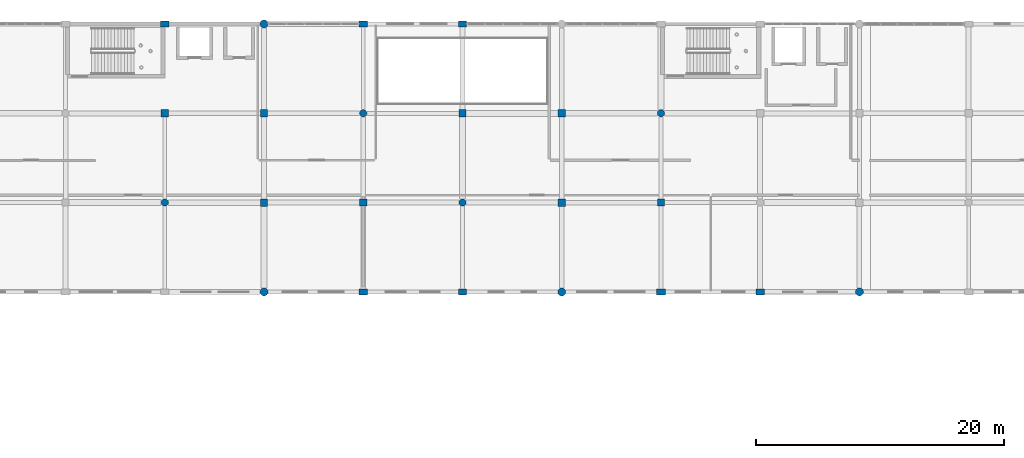
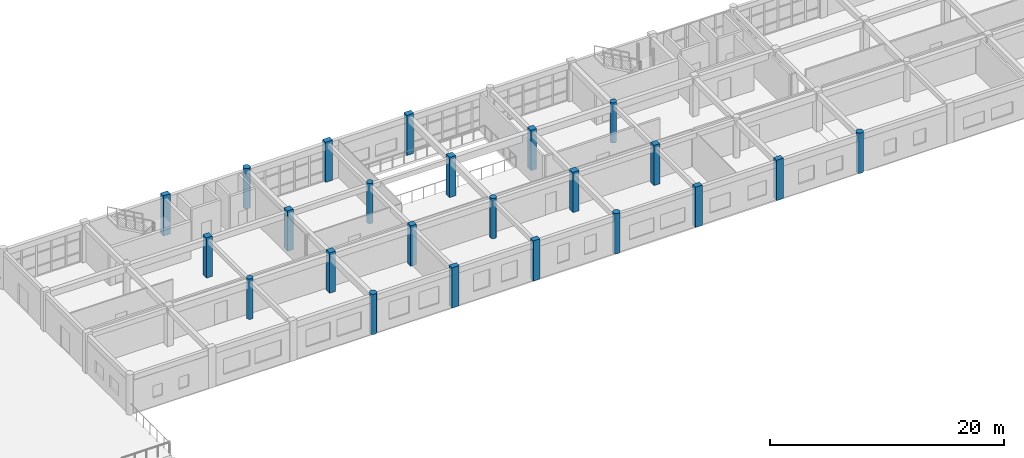
# One storey, part 2 of 53: 23 columns.
"""IFC4 building model written with IfcOpenShell, lengths in metres."""

from ifc_helpers import new_model, si_unit, direction, frame, origin, origin_2d, place, context, subcontext, project, spatial, rectangle, circle, extrude, material, material_profile, profile_set, type_object, element, save


model = new_model("IFC4")

# Units and contexts
model_context = context("Model", 3, precision=1e-05, world=origin(), true_north=direction((0.0, 1.0)))
body_context = subcontext(model_context, "Body", "Model", "MODEL_VIEW")
ifc_project = project(units=[si_unit("LENGTHUNIT", "METRE"), si_unit("AREAUNIT", "SQUARE_METRE"), si_unit("VOLUMEUNIT", "CUBIC_METRE"), si_unit("PLANEANGLEUNIT", "RADIAN"), si_unit("MASSUNIT", "GRAM", prefix="KILO")], contexts=[model_context])

# Site, building, storey
site_placement = place(None, origin())
site = spatial("IfcSite", under=ifc_project, at=site_placement, CompositionType="ELEMENT")
building_placement = place(site_placement, origin())
building = spatial("IfcBuilding", under=site, at=building_placement, Name="Kharva Crest Polytechnic", CompositionType="ELEMENT")
storey_placement = place(building_placement, frame((0.0, 0.0, 17.39990234375)))
storey = spatial("IfcBuildingStorey", under=building, at=storey_placement, Name="L04", CompositionType="ELEMENT", Elevation=17.39990234375)

# Columns
ifc_material = material(Name="Concrete C40/50", Category="concrete")
ifc_material_profile_1 = material_profile(ifc_material, rectangle(XDim=0.679931640625, YDim=0.5, at=origin_2d()), Name="RECT 680 X 500")
ifc_profile_set_1 = profile_set([ifc_material_profile_1], Name="Concrete C40/50")
column_type_1 = type_object("IfcColumnType", Name="COL-EXT-680X500", PredefinedType="COLUMN", material=ifc_profile_set_1)
for number, where, z_axis, x_axis, name in (
    (1, (88.0, 100.39990234375, 0.0), (0.0, 0.0, 1.0), (1.0, 0.0, 0.0), "L04 Column 12/P"),
    (2, (88.0, 122.0, 0.0), (0.0, 0.0, 1.0), (1.0, 0.0, 0.0), "L04 Column 12/S"),
    (3, (112.0, 100.39990234375, 0.0), (0.0, 0.0, 1.0), (1.0, 0.0, 0.0), "L04 Column 15/P"),
    (4, (64.0, 122.0, 0.0), (0.0, 0.0, 1.0), (1.0, 0.0, 0.0), "L04 Column 9/S"),
):
    element("IfcColumn", number, at=place(storey_placement, frame(where, z_axis=z_axis, x_axis=x_axis)), inside=storey, type_object=column_type_1, Name=name, PredefinedType="COLUMN", context=body_context, shape_type="SweptSolid", body=[
        extrude(rectangle(XDim=0.679931640625, YDim=0.5, at=origin_2d()), origin(), (0.0, 0.0, 1.0), 4.2001953125),
    ])
ifc_material_profile_2 = material_profile(ifc_material, rectangle(XDim=0.699951171875, YDim=0.5, at=origin_2d()), Name="RECT 700 X 500")
ifc_profile_set_2 = profile_set([ifc_material_profile_2], Name="Concrete C40/50")
column_type_2 = type_object("IfcColumnType", Name="COL-EXT-700X500", PredefinedType="COLUMN", material=ifc_profile_set_2)
for number, where, z_axis, x_axis, name in (
    (5, (80.0, 100.39990234375, 0.0), (0.0, 0.0, 1.0), (1.0, 0.0, 0.0), "L04 Column 11/P"),
    (6, (80.0, 122.0, 0.0), (0.0, 0.0, 1.0), (1.0, 0.0, 0.0), "L04 Column 11/S"),
    (7, (104.0, 100.39990234375, 0.0), (0.0, 0.0, 1.0), (1.0, 0.0, 0.0), "L04 Column 14/P"),
):
    element("IfcColumn", number, at=place(storey_placement, frame(where, z_axis=z_axis, x_axis=x_axis)), inside=storey, type_object=column_type_2, Name=name, PredefinedType="COLUMN", context=body_context, shape_type="SweptSolid", body=[
        extrude(rectangle(XDim=0.699951171875, YDim=0.5, at=origin_2d()), origin(), (0.0, 0.0, 1.0), 4.2001953125),
    ])
ifc_material_profile_3 = material_profile(ifc_material, circle(Radius=0.320068359375, at=origin_2d()), Name="DIA 640")
ifc_profile_set_3 = profile_set([ifc_material_profile_3], Name="Concrete C40/50")
column_type_3 = type_object("IfcColumnType", Name="COL-EXT-DIA640", PredefinedType="COLUMN", material=ifc_profile_set_3)
for number, where, z_axis, x_axis, name in (
    (8, (72.0, 100.39990234375, 0.0), (0.0, 0.0, 1.0), (1.0, 0.0, 0.0), "L04 Column 10/P"),
    (9, (72.0, 122.0, 0.0), (0.0, 0.0, 1.0), (1.0, 0.0, 0.0), "L04 Column 10/S"),
    (10, (96.0, 100.39990234375, 0.0), (0.0, 0.0, 1.0), (1.0, 0.0, 0.0), "L04 Column 13/P"),
    (11, (120.0, 100.39990234375, 0.0), (0.0, 0.0, 1.0), (1.0, 0.0, 0.0), "L04 Column 16/P"),
):
    element("IfcColumn", number, at=place(storey_placement, frame(where, z_axis=z_axis, x_axis=x_axis)), inside=storey, type_object=column_type_3, Name=name, PredefinedType="COLUMN", context=body_context, shape_type="SweptSolid", body=[
        extrude(circle(Radius=0.320068359375, at=origin_2d()), origin(), (0.0, 0.0, 1.0), 4.2001953125),
    ])
ifc_material_profile_4 = material_profile(ifc_material, rectangle(XDim=0.580078125, YDim=0.580078125, at=origin_2d()), Name="RECT 580 X 580")
ifc_profile_set_4 = profile_set([ifc_material_profile_4], Name="Concrete C40/50")
column_type_4 = type_object("IfcColumnType", Name="COL-INT-580X580", PredefinedType="COLUMN", material=ifc_profile_set_4)
for number, where, z_axis, x_axis, name in (
    (12, (72.0, 114.800048828125, 0.0), (0.0, 0.0, 1.0), (1.0, 0.0, 0.0), "L04 Column 10/R"),
    (13, (80.0, 107.60009765625, 0.0), (0.0, 0.0, 1.0), (1.0, 0.0, 0.0), "L04 Column 11/Q"),
    (14, (96.0, 114.800048828125, 0.0), (0.0, 0.0, 1.0), (1.0, 0.0, 0.0), "L04 Column 13/R"),
    (15, (104.0, 107.60009765625, 0.0), (0.0, 0.0, 1.0), (1.0, 0.0, 0.0), "L04 Column 14/Q"),
):
    element("IfcColumn", number, at=place(storey_placement, frame(where, z_axis=z_axis, x_axis=x_axis)), inside=storey, type_object=column_type_4, Name=name, PredefinedType="COLUMN", context=body_context, shape_type="SweptSolid", body=[
        extrude(rectangle(XDim=0.580078125, YDim=0.580078125, at=origin_2d()), origin(), (0.0, 0.0, 1.0), 4.2001953125),
    ])
ifc_material_profile_5 = material_profile(ifc_material, rectangle(XDim=0.60009765625, YDim=0.60009765625, at=origin_2d()), Name="RECT 600 X 600")
ifc_profile_set_5 = profile_set([ifc_material_profile_5], Name="Concrete C40/50")
column_type_5 = type_object("IfcColumnType", Name="COL-INT-600X600", PredefinedType="COLUMN", material=ifc_profile_set_5)
for number, where, z_axis, x_axis, name in (
    (16, (72.0, 107.60009765625, 0.0), (0.0, 0.0, 1.0), (1.0, 0.0, 0.0), "L04 Column 10/Q"),
    (17, (88.0, 114.800048828125, 0.0), (0.0, 0.0, 1.0), (1.0, 0.0, 0.0), "L04 Column 12/R"),
    (18, (96.0, 107.60009765625, 0.0), (0.0, 0.0, 1.0), (1.0, 0.0, 0.0), "L04 Column 13/Q"),
    (19, (64.0, 114.800048828125, 0.0), (0.0, 0.0, 1.0), (1.0, 0.0, 0.0), "L04 Column 9/R"),
):
    element("IfcColumn", number, at=place(storey_placement, frame(where, z_axis=z_axis, x_axis=x_axis)), inside=storey, type_object=column_type_5, Name=name, PredefinedType="COLUMN", context=body_context, shape_type="SweptSolid", body=[
        extrude(rectangle(XDim=0.60009765625, YDim=0.60009765625, at=origin_2d()), origin(), (0.0, 0.0, 1.0), 4.2001953125),
    ])
ifc_material_profile_6 = material_profile(ifc_material, circle(Radius=0.2900390625, at=origin_2d()), Name="DIA 580")
ifc_profile_set_6 = profile_set([ifc_material_profile_6], Name="Concrete C40/50")
column_type_6 = type_object("IfcColumnType", Name="COL-INT-DIA580", PredefinedType="COLUMN", material=ifc_profile_set_6)
for number, where, z_axis, x_axis, name in (
    (20, (80.0, 114.800048828125, 0.0), (0.0, 0.0, 1.0), (1.0, 0.0, 0.0), "L04 Column 11/R"),
    (21, (88.0, 107.60009765625, 0.0), (0.0, 0.0, 1.0), (1.0, 0.0, 0.0), "L04 Column 12/Q"),
    (22, (104.0, 114.800048828125, 0.0), (0.0, 0.0, 1.0), (1.0, 0.0, 0.0), "L04 Column 14/R"),
    (23, (64.0, 107.60009765625, 0.0), (0.0, 0.0, 1.0), (1.0, 0.0, 0.0), "L04 Column 9/Q"),
):
    element("IfcColumn", number, at=place(storey_placement, frame(where, z_axis=z_axis, x_axis=x_axis)), inside=storey, type_object=column_type_6, Name=name, PredefinedType="COLUMN", context=body_context, shape_type="SweptSolid", body=[
        extrude(circle(Radius=0.2900390625, at=origin_2d()), origin(), (0.0, 0.0, 1.0), 4.2001953125),
    ])

save(model, "model.ifc")
